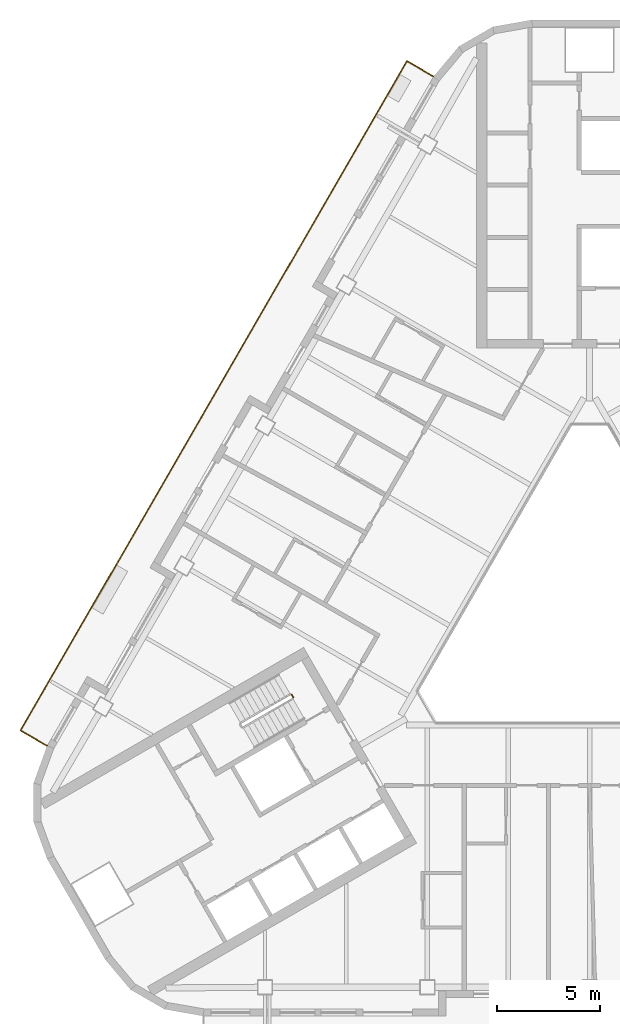
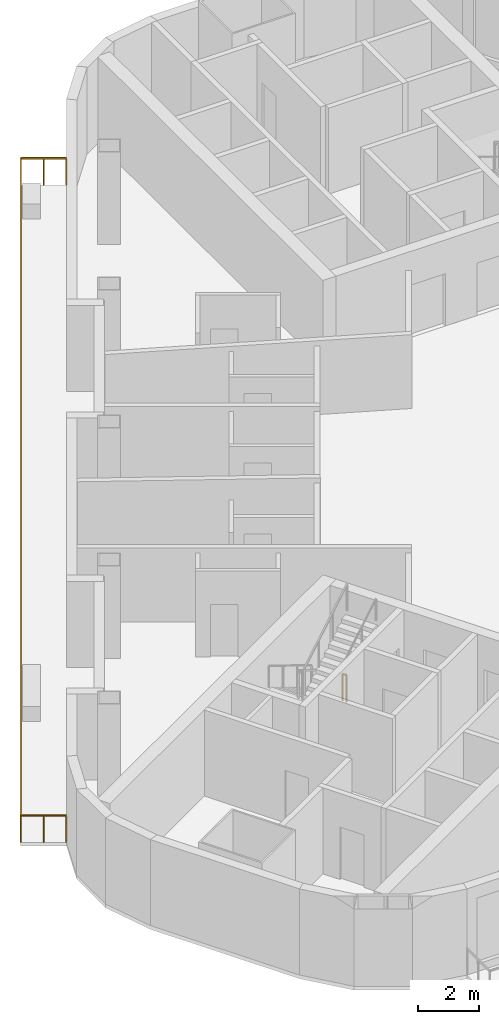
# One storey, part 11 of 14: 2 railings.
"""IFC4 building model written with IfcOpenShell, lengths in metres."""

from ifc_helpers import new_model, si_unit, direction, frame, origin, origin_2d, place, context, subcontext, project, spatial, rectangle, extrude, material, type_object, element, save


model = new_model("IFC4")

# Units and contexts
model_context = context("Model", 3, precision=1e-05, world=origin(), true_north=direction((0.0, 1.0)))
body_context = subcontext(model_context, "Body", "Model", "MODEL_VIEW")
ifc_project = project(units=[si_unit("LENGTHUNIT", "METRE"), si_unit("AREAUNIT", "SQUARE_METRE"), si_unit("VOLUMEUNIT", "CUBIC_METRE"), si_unit("PLANEANGLEUNIT", "RADIAN"), si_unit("MASSUNIT", "GRAM", prefix="KILO")], contexts=[model_context])

# Site, building, storey
site_placement = place(None, origin())
site = spatial("IfcSite", under=ifc_project, at=site_placement, CompositionType="ELEMENT")
building_placement = place(site_placement, origin())
building = spatial("IfcBuilding", under=site, at=building_placement, Name="Apuvela Tower Hotel", CompositionType="ELEMENT")
storey_placement = place(building_placement, frame((0.0, 0.0, 228.0)))
storey = spatial("IfcBuildingStorey", under=building, at=storey_placement, Name="L56", CompositionType="ELEMENT", Elevation=228.0)

# Railings
ifc_material_1 = material(Name="Steel S275 balustrade", Category="steel")
railing_type_1 = type_object("IfcRailingType", Name="COR-GUARD-1100", PredefinedType="GUARDRAIL", material=ifc_material_1)
railing_1_placement = place(storey_placement, frame((-14.500732421875, -3.984130859375, 0.0)))
element("IfcRailing", 1, at=railing_1_placement, inside=storey, type_object=railing_type_1, Name="L56 ST2 stair guard 4", PredefinedType="GUARDRAIL", context=body_context, shape_type="SweptSolid", body=[
    extrude(rectangle(XDim=0.048095703125, YDim=0.048095703125, at=origin_2d()), frame((0.0, 0.0, 1.076171875), z_axis=(0.499816412211, -0.866131372301, 0.0), x_axis=(0.866131372301, 0.499816412211, 0.0)), (0.0, 0.0, 1.0), 0.14990234375),
    extrude(rectangle(XDim=0.0419921875, YDim=0.0419921875, at=origin_2d()), origin(), (0.0, 0.0, 1.0), 1.052001953125),
    extrude(rectangle(XDim=0.0419921875, YDim=0.0419921875, at=origin_2d()), frame((0.074951171875, -0.1298828125, 0.0)), (0.0, 0.0, 1.0), 1.052001953125),
])
ifc_material_2 = material(Name="Stainless steel 316 rail with laminated glass infill", Category="steel")
railing_type_2 = type_object("IfcRailingType", Name="ENV-GUARD-1100", PredefinedType="GUARDRAIL", material=ifc_material_2)
railing_2_placement = place(storey_placement, frame((-7.59228515625, 26.110107421875, 0.0)))
element("IfcRailing", 2, at=railing_2_placement, inside=storey, type_object=railing_type_2, Name="Balcony guard NW L56", PredefinedType="GUARDRAIL", context=body_context, shape_type="SweptSolid", body=[
    extrude(rectangle(XDim=0.050048828125, YDim=0.050048828125, at=origin_2d()), frame((0.0, 0.0, 1.0751953125), z_axis=(-0.86599040064, 0.500060622324, 0.0), x_axis=(-0.500060622324, -0.86599040064, 0.0)), (0.0, 0.0, 1.0), 1.499755859375),
    extrude(rectangle(XDim=0.050048828125, YDim=0.050048828125, at=origin_2d()), frame((-1.298828125, 0.75, 1.0751953125), z_axis=(-0.500000437506, -0.86602515119, 0.0), x_axis=(0.86602515119, -0.500000437506, 0.0)), (0.0, 0.0, 1.0), 37.6318359375),
    extrude(rectangle(XDim=0.050048828125, YDim=0.050048828125, at=origin_2d()), frame((-20.11474609375, -31.840087890625, 1.0751953125), z_axis=(0.866031096941, -0.499990139034, 0.0), x_axis=(0.499990139034, 0.866031096941, 0.0)), (0.0, 0.0, 1.0), 1.5),
    extrude(rectangle(XDim=0.0400390625, YDim=0.0400390625, at=origin_2d()), origin(), (0.0, 0.0, 1.0), 1.050048828125),
    extrude(rectangle(XDim=0.0400390625, YDim=0.0400390625, at=origin_2d()), frame((-0.6494140625, 0.375, 0.0)), (0.0, 0.0, 1.0), 1.050048828125),
    extrude(rectangle(XDim=0.0400390625, YDim=0.0400390625, at=origin_2d()), frame((-1.298828125, 0.75, 0.0)), (0.0, 0.0, 1.0), 1.050048828125),
    extrude(rectangle(XDim=0.0400390625, YDim=0.0400390625, at=origin_2d()), frame((-1.88671875, -0.2685546875, 0.0)), (0.0, 0.0, 1.0), 1.050048828125),
    extrude(rectangle(XDim=0.0400390625, YDim=0.0400390625, at=origin_2d()), frame((-2.474853515625, -1.286865234375, 0.0)), (0.0, 0.0, 1.0), 1.050048828125),
    extrude(rectangle(XDim=0.0400390625, YDim=0.0400390625, at=origin_2d()), frame((-3.062744140625, -2.305419921875, 0.0)), (0.0, 0.0, 1.0), 1.050048828125),
    extrude(rectangle(XDim=0.0400390625, YDim=0.0400390625, at=origin_2d()), frame((-3.65087890625, -3.32373046875, 0.0)), (0.0, 0.0, 1.0), 1.050048828125),
    extrude(rectangle(XDim=0.0400390625, YDim=0.0400390625, at=origin_2d()), frame((-4.23876953125, -4.34228515625, 0.0)), (0.0, 0.0, 1.0), 1.050048828125),
    extrude(rectangle(XDim=0.0400390625, YDim=0.0400390625, at=origin_2d()), frame((-4.826904296875, -5.360595703125, 0.0)), (0.0, 0.0, 1.0), 1.050048828125),
    extrude(rectangle(XDim=0.0400390625, YDim=0.0400390625, at=origin_2d()), frame((-5.414794921875, -6.379150390625, 0.0)), (0.0, 0.0, 1.0), 1.050048828125),
    extrude(rectangle(XDim=0.0400390625, YDim=0.0400390625, at=origin_2d()), frame((-6.0029296875, -7.3974609375, 0.0)), (0.0, 0.0, 1.0), 1.050048828125),
    extrude(rectangle(XDim=0.0400390625, YDim=0.0400390625, at=origin_2d()), frame((-6.5908203125, -8.416015625, 0.0)), (0.0, 0.0, 1.0), 1.050048828125),
    extrude(rectangle(XDim=0.0400390625, YDim=0.0400390625, at=origin_2d()), frame((-7.1787109375, -9.434326171875, 0.0)), (0.0, 0.0, 1.0), 1.050048828125),
    extrude(rectangle(XDim=0.0400390625, YDim=0.0400390625, at=origin_2d()), frame((-7.766845703125, -10.452880859375, 0.0)), (0.0, 0.0, 1.0), 1.050048828125),
    extrude(rectangle(XDim=0.0400390625, YDim=0.0400390625, at=origin_2d()), frame((-8.354736328125, -11.47119140625, 0.0)), (0.0, 0.0, 1.0), 1.050048828125),
    extrude(rectangle(XDim=0.0400390625, YDim=0.0400390625, at=origin_2d()), frame((-8.94287109375, -12.48974609375, 0.0)), (0.0, 0.0, 1.0), 1.050048828125),
    extrude(rectangle(XDim=0.0400390625, YDim=0.0400390625, at=origin_2d()), frame((-9.53076171875, -13.508056640625, 0.0)), (0.0, 0.0, 1.0), 1.050048828125),
    extrude(rectangle(XDim=0.0400390625, YDim=0.0400390625, at=origin_2d()), frame((-10.118896484375, -14.526611328125, 0.0)), (0.0, 0.0, 1.0), 1.050048828125),
    extrude(rectangle(XDim=0.0400390625, YDim=0.0400390625, at=origin_2d()), frame((-10.706787109375, -15.544921875, 0.0)), (0.0, 0.0, 1.0), 1.050048828125),
    extrude(rectangle(XDim=0.0400390625, YDim=0.0400390625, at=origin_2d()), frame((-11.294677734375, -16.5634765625, 0.0)), (0.0, 0.0, 1.0), 1.050048828125),
    extrude(rectangle(XDim=0.0400390625, YDim=0.0400390625, at=origin_2d()), frame((-11.8828125, -17.58203125, 0.0)), (0.0, 0.0, 1.0), 1.050048828125),
    extrude(rectangle(XDim=0.0400390625, YDim=0.0400390625, at=origin_2d()), frame((-12.470703125, -18.600341796875, 0.0)), (0.0, 0.0, 1.0), 1.050048828125),
    extrude(rectangle(XDim=0.0400390625, YDim=0.0400390625, at=origin_2d()), frame((-13.058837890625, -19.618896484375, 0.0)), (0.0, 0.0, 1.0), 1.050048828125),
    extrude(rectangle(XDim=0.0400390625, YDim=0.0400390625, at=origin_2d()), frame((-13.646728515625, -20.63720703125, 0.0)), (0.0, 0.0, 1.0), 1.050048828125),
    extrude(rectangle(XDim=0.0400390625, YDim=0.0400390625, at=origin_2d()), frame((-14.23486328125, -21.65576171875, 0.0)), (0.0, 0.0, 1.0), 1.050048828125),
    extrude(rectangle(XDim=0.0400390625, YDim=0.0400390625, at=origin_2d()), frame((-14.82275390625, -22.674072265625, 0.0)), (0.0, 0.0, 1.0), 1.050048828125),
    extrude(rectangle(XDim=0.0400390625, YDim=0.0400390625, at=origin_2d()), frame((-15.41064453125, -23.692626953125, 0.0)), (0.0, 0.0, 1.0), 1.050048828125),
    extrude(rectangle(XDim=0.0400390625, YDim=0.0400390625, at=origin_2d()), frame((-15.998779296875, -24.7109375, 0.0)), (0.0, 0.0, 1.0), 1.050048828125),
    extrude(rectangle(XDim=0.0400390625, YDim=0.0400390625, at=origin_2d()), frame((-16.586669921875, -25.7294921875, 0.0)), (0.0, 0.0, 1.0), 1.050048828125),
    extrude(rectangle(XDim=0.0400390625, YDim=0.0400390625, at=origin_2d()), frame((-17.1748046875, -26.747802734375, 0.0)), (0.0, 0.0, 1.0), 1.050048828125),
    extrude(rectangle(XDim=0.0400390625, YDim=0.0400390625, at=origin_2d()), frame((-17.7626953125, -27.766357421875, 0.0)), (0.0, 0.0, 1.0), 1.050048828125),
    extrude(rectangle(XDim=0.0400390625, YDim=0.0400390625, at=origin_2d()), frame((-18.350830078125, -28.78466796875, 0.0)), (0.0, 0.0, 1.0), 1.050048828125),
    extrude(rectangle(XDim=0.0400390625, YDim=0.0400390625, at=origin_2d()), frame((-18.938720703125, -29.80322265625, 0.0)), (0.0, 0.0, 1.0), 1.050048828125),
    extrude(rectangle(XDim=0.0400390625, YDim=0.0400390625, at=origin_2d()), frame((-19.52685546875, -30.821533203125, 0.0)), (0.0, 0.0, 1.0), 1.050048828125),
    extrude(rectangle(XDim=0.0400390625, YDim=0.0400390625, at=origin_2d()), frame((-20.11474609375, -31.840087890625, 0.0)), (0.0, 0.0, 1.0), 1.050048828125),
    extrude(rectangle(XDim=0.0400390625, YDim=0.0400390625, at=origin_2d()), frame((-19.46533203125, -32.215087890625, 0.0)), (0.0, 0.0, 1.0), 1.050048828125),
    extrude(rectangle(XDim=0.0400390625, YDim=0.0400390625, at=origin_2d()), frame((-18.815673828125, -32.590087890625, 0.0)), (0.0, 0.0, 1.0), 1.050048828125),
])

save(model, "model.ifc")
